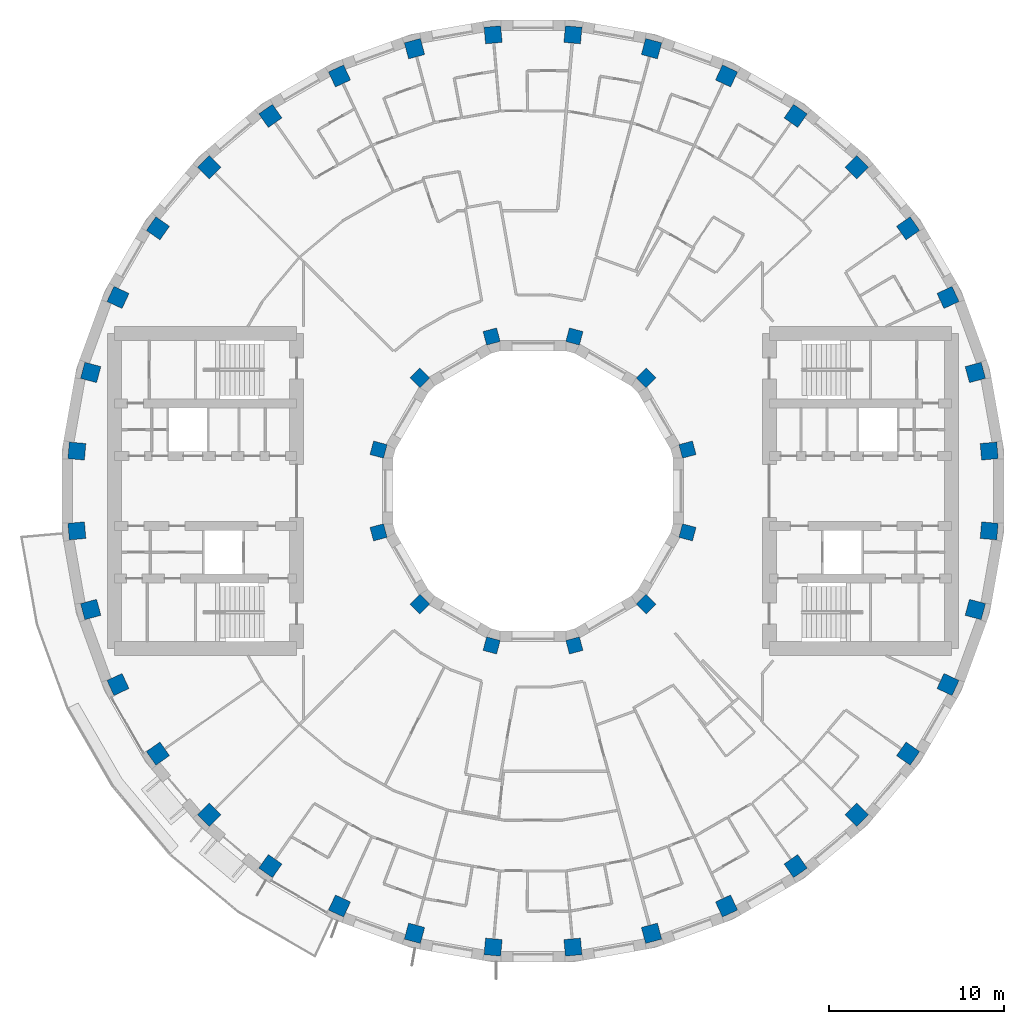
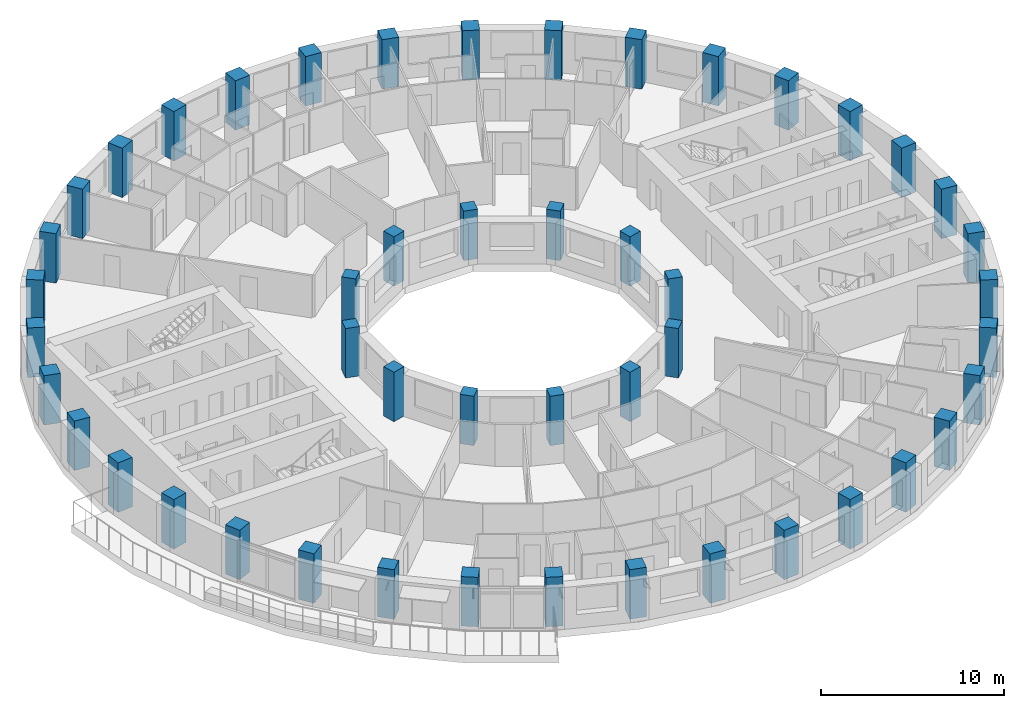
# One storey, part 1 of 16: 48 columns.
"""IFC4 building model written with IfcOpenShell, lengths in metres."""

from ifc_helpers import new_model, si_unit, direction, frame, origin, origin_2d, place, context, subcontext, project, spatial, rectangle, extrude, material, material_profile, profile_set, type_object, element, save


model = new_model("IFC4")

# Units and contexts
model_context = context("Model", 3, precision=1e-05, world=origin(), true_north=direction((0.0, 1.0)))
body_context = subcontext(model_context, "Body", "Model", "MODEL_VIEW")
ifc_project = project(units=[si_unit("LENGTHUNIT", "METRE"), si_unit("AREAUNIT", "SQUARE_METRE"), si_unit("VOLUMEUNIT", "CUBIC_METRE"), si_unit("PLANEANGLEUNIT", "RADIAN"), si_unit("MASSUNIT", "GRAM", prefix="KILO")], contexts=[model_context])

# Site, building, storey
site_placement = place(None, origin())
site = spatial("IfcSite", under=ifc_project, at=site_placement, CompositionType="ELEMENT")
building_placement = place(site_placement, origin())
building = spatial("IfcBuilding", under=site, at=building_placement, Name="Saqina Gate Tower", CompositionType="ELEMENT")
storey_placement = place(building_placement, frame((0.0, 0.0, 128.199951171875)))
storey = spatial("IfcBuildingStorey", under=building, at=storey_placement, Name="L36", CompositionType="ELEMENT", Elevation=128.199951171875)

# Columns
ifc_material_1 = material(Name="Concrete C70/85", Category="concrete")
ifc_material_profile_1 = material_profile(ifc_material_1, rectangle(XDim=0.800048828125, YDim=0.800048828125, at=origin_2d()), Name="RC 800x800")
ifc_profile_set_1 = profile_set([ifc_material_profile_1], Name="Concrete C70/85")
column_type_1 = type_object("IfcColumnType", Name="STR-COL-IN-B", PredefinedType="COLUMN", material=ifc_profile_set_1)
for number, where, z_axis, x_axis, name in (
    (1, (8.821044921875, 2.363525390625, 0.0), (0.0, 0.0, 1.0), (0.965925826289, 0.258819045103, 0.0), "L36-ICL01"),
    (2, (6.45751953125, 6.45751953125, 0.0), (0.0, 0.0, 1.0), (0.707106781187, 0.707106781187, 0.0), "L36-ICL02"),
    (3, (2.363525390625, 8.821044921875, 0.0), (0.0, 0.0, 1.0), (0.258819045103, 0.965925826289, 0.0), "L36-ICL03"),
    (4, (-2.363525390625, 8.821044921875, 0.0), (0.0, 0.0, 1.0), (-0.258819045103, 0.965925826289, 0.0), "L36-ICL04"),
    (5, (-6.45751953125, 6.45751953125, 0.0), (0.0, 0.0, 1.0), (-0.707106781187, 0.707106781187, 0.0), "L36-ICL05"),
    (6, (-8.821044921875, 2.363525390625, 0.0), (0.0, 0.0, 1.0), (-0.965925826289, 0.258819045103, 0.0), "L36-ICL06"),
    (7, (-8.821044921875, -2.363525390625, 0.0), (0.0, 0.0, 1.0), (-0.965925826289, -0.258819045103, 0.0), "L36-ICL07"),
    (8, (-6.45751953125, -6.45751953125, 0.0), (0.0, 0.0, 1.0), (-0.707106781187, -0.707106781187, 0.0), "L36-ICL08"),
    (9, (-2.363525390625, -8.821044921875, 0.0), (0.0, 0.0, 1.0), (-0.258819045103, -0.965925826289, 0.0), "L36-ICL09"),
    (10, (2.363525390625, -8.821044921875, 0.0), (0.0, 0.0, 1.0), (0.258819045103, -0.965925826289, 0.0), "L36-ICL10"),
    (11, (6.45751953125, -6.45751953125, 0.0), (0.0, 0.0, 1.0), (0.707106781187, -0.707106781187, 0.0), "L36-ICL11"),
    (12, (8.821044921875, -2.363525390625, 0.0), (0.0, 0.0, 1.0), (0.965925826289, -0.258819045103, 0.0), "L36-ICL12"),
):
    element("IfcColumn", number, at=place(storey_placement, frame(where, z_axis=z_axis, x_axis=x_axis)), inside=storey, type_object=column_type_1, Name=name, PredefinedType="COLUMN", context=body_context, shape_type="SweptSolid", body=[
        extrude(rectangle(XDim=0.800048828125, YDim=0.800048828125, at=origin_2d()), origin(), (0.0, 0.0, 1.0), 3.300048828125),
    ])
ifc_material_2 = material(Name="Concrete C70/85", Category="concrete")
ifc_material_profile_2 = material_profile(ifc_material_2, rectangle(XDim=0.949951171875, YDim=0.949951171875, at=origin_2d()), Name="RC 950x950")
ifc_profile_set_2 = profile_set([ifc_material_profile_2], Name="Concrete C70/85")
column_type_2 = type_object("IfcColumnType", Name="STR-COL-OUT-B", PredefinedType="COLUMN", material=ifc_profile_set_2)
for number, where, z_axis, x_axis, name in (
    (13, (26.050537109375, 2.279052734375, 0.0), (0.0, 0.0, 1.0), (0.996194698092, 0.087155742748, 0.0), "L36-COL01"),
    (14, (25.259033203125, 6.76806640625, 0.0), (0.0, 0.0, 1.0), (0.965925826289, 0.258819045103, 0.0), "L36-COL02"),
    (15, (23.699951171875, 11.051513671875, 0.0), (0.0, 0.0, 1.0), (0.906307787037, 0.422618261741, 0.0), "L36-COL03"),
    (16, (21.4208984375, 14.9990234375, 0.0), (0.0, 0.0, 1.0), (0.819152044289, 0.573576436351, 0.0), "L36-COL04"),
    (17, (18.49072265625, 18.49072265625, 0.0), (0.0, 0.0, 1.0), (0.707106781187, 0.707106781187, 0.0), "L36-COL05"),
    (18, (14.9990234375, 21.4208984375, 0.0), (0.0, 0.0, 1.0), (0.573576436351, 0.819152044289, 0.0), "L36-COL06"),
    (19, (11.051513671875, 23.699951171875, 0.0), (0.0, 0.0, 1.0), (0.422618261741, 0.906307787037, 0.0), "L36-COL07"),
    (20, (6.76806640625, 25.259033203125, 0.0), (0.0, 0.0, 1.0), (0.258819045103, 0.965925826289, 0.0), "L36-COL08"),
    (21, (2.279052734375, 26.050537109375, 0.0), (0.0, 0.0, 1.0), (0.087155742748, 0.996194698092, 0.0), "L36-COL09"),
    (22, (-2.279052734375, 26.050537109375, 0.0), (0.0, 0.0, 1.0), (-0.087155742748, 0.996194698092, 0.0), "L36-COL10"),
    (23, (-6.76806640625, 25.259033203125, 0.0), (0.0, 0.0, 1.0), (-0.258819045103, 0.965925826289, 0.0), "L36-COL11"),
    (24, (-11.051513671875, 23.699951171875, 0.0), (0.0, 0.0, 1.0), (-0.422618261741, 0.906307787037, 0.0), "L36-COL12"),
    (25, (-14.9990234375, 21.4208984375, 0.0), (0.0, 0.0, 1.0), (-0.573576436351, 0.819152044289, 0.0), "L36-COL13"),
    (26, (-18.49072265625, 18.49072265625, 0.0), (0.0, 0.0, 1.0), (-0.707106781187, 0.707106781187, 0.0), "L36-COL14"),
    (27, (-21.4208984375, 14.9990234375, 0.0), (0.0, 0.0, 1.0), (-0.819152044289, 0.573576436351, 0.0), "L36-COL15"),
    (28, (-23.699951171875, 11.051513671875, 0.0), (0.0, 0.0, 1.0), (-0.906307787037, 0.422618261741, 0.0), "L36-COL16"),
    (29, (-25.259033203125, 6.76806640625, 0.0), (0.0, 0.0, 1.0), (-0.965925826289, 0.258819045103, 0.0), "L36-COL17"),
    (30, (-26.050537109375, 2.279052734375, 0.0), (0.0, 0.0, 1.0), (-0.996194698092, 0.087155742748, 0.0), "L36-COL18"),
    (31, (-26.050537109375, -2.279052734375, 0.0), (0.0, 0.0, 1.0), (-0.996194698092, -0.087155742748, 0.0), "L36-COL19"),
    (32, (-25.259033203125, -6.76806640625, 0.0), (0.0, 0.0, 1.0), (-0.965925826289, -0.258819045103, 0.0), "L36-COL20"),
    (33, (-23.699951171875, -11.051513671875, 0.0), (0.0, 0.0, 1.0), (-0.906307787037, -0.422618261741, 0.0), "L36-COL21"),
    (34, (-21.4208984375, -14.9990234375, 0.0), (0.0, 0.0, 1.0), (-0.819152044289, -0.573576436351, 0.0), "L36-COL22"),
    (35, (-18.49072265625, -18.49072265625, 0.0), (0.0, 0.0, 1.0), (-0.707106781187, -0.707106781187, 0.0), "L36-COL23"),
    (36, (-14.9990234375, -21.4208984375, 0.0), (0.0, 0.0, 1.0), (-0.573576436351, -0.819152044289, 0.0), "L36-COL24"),
    (37, (-11.051513671875, -23.699951171875, 0.0), (0.0, 0.0, 1.0), (-0.422618261741, -0.906307787037, 0.0), "L36-COL25"),
    (38, (-6.76806640625, -25.259033203125, 0.0), (0.0, 0.0, 1.0), (-0.258819045103, -0.965925826289, 0.0), "L36-COL26"),
    (39, (-2.279052734375, -26.050537109375, 0.0), (0.0, 0.0, 1.0), (-0.087155742748, -0.996194698092, 0.0), "L36-COL27"),
    (40, (2.279052734375, -26.050537109375, 0.0), (0.0, 0.0, 1.0), (0.087155742748, -0.996194698092, 0.0), "L36-COL28"),
    (41, (6.76806640625, -25.259033203125, 0.0), (0.0, 0.0, 1.0), (0.258819045103, -0.965925826289, 0.0), "L36-COL29"),
    (42, (11.051513671875, -23.699951171875, 0.0), (0.0, 0.0, 1.0), (0.422618261741, -0.906307787037, 0.0), "L36-COL30"),
    (43, (14.9990234375, -21.4208984375, 0.0), (0.0, 0.0, 1.0), (0.573576436351, -0.819152044289, 0.0), "L36-COL31"),
    (44, (18.49072265625, -18.49072265625, 0.0), (0.0, 0.0, 1.0), (0.707106781187, -0.707106781187, 0.0), "L36-COL32"),
    (45, (21.4208984375, -14.9990234375, 0.0), (0.0, 0.0, 1.0), (0.819152044289, -0.573576436351, 0.0), "L36-COL33"),
    (46, (23.699951171875, -11.051513671875, 0.0), (0.0, 0.0, 1.0), (0.906307787037, -0.422618261741, 0.0), "L36-COL34"),
    (47, (25.259033203125, -6.76806640625, 0.0), (0.0, 0.0, 1.0), (0.965925826289, -0.258819045103, 0.0), "L36-COL35"),
    (48, (26.050537109375, -2.279052734375, 0.0), (0.0, 0.0, 1.0), (0.996194698092, -0.087155742748, 0.0), "L36-COL36"),
):
    element("IfcColumn", number, at=place(storey_placement, frame(where, z_axis=z_axis, x_axis=x_axis)), inside=storey, type_object=column_type_2, Name=name, PredefinedType="COLUMN", context=body_context, shape_type="SweptSolid", body=[
        extrude(rectangle(XDim=0.949951171875, YDim=0.949951171875, at=origin_2d()), origin(), (0.0, 0.0, 1.0), 3.300048828125),
    ])

save(model, "model.ifc")
